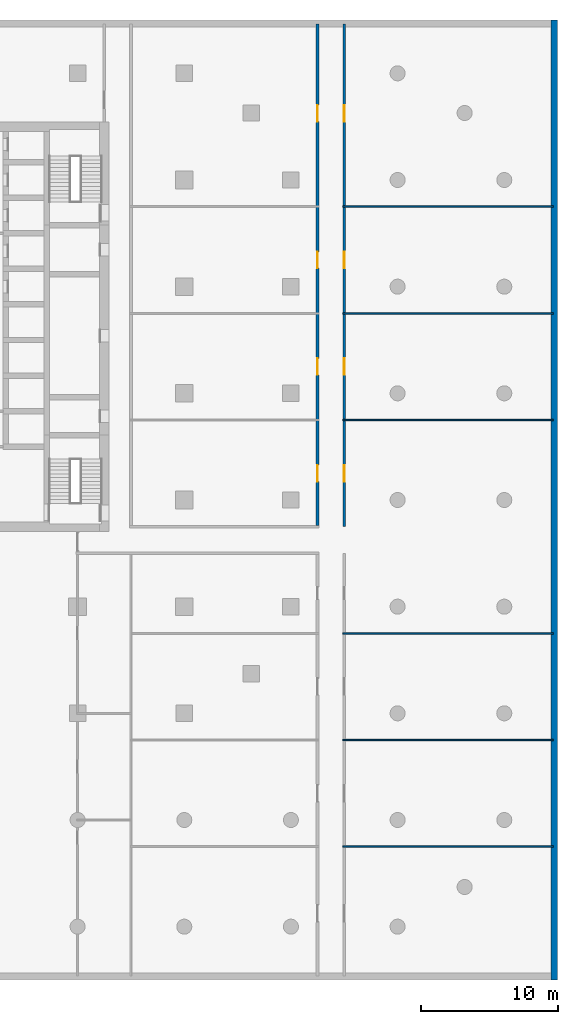
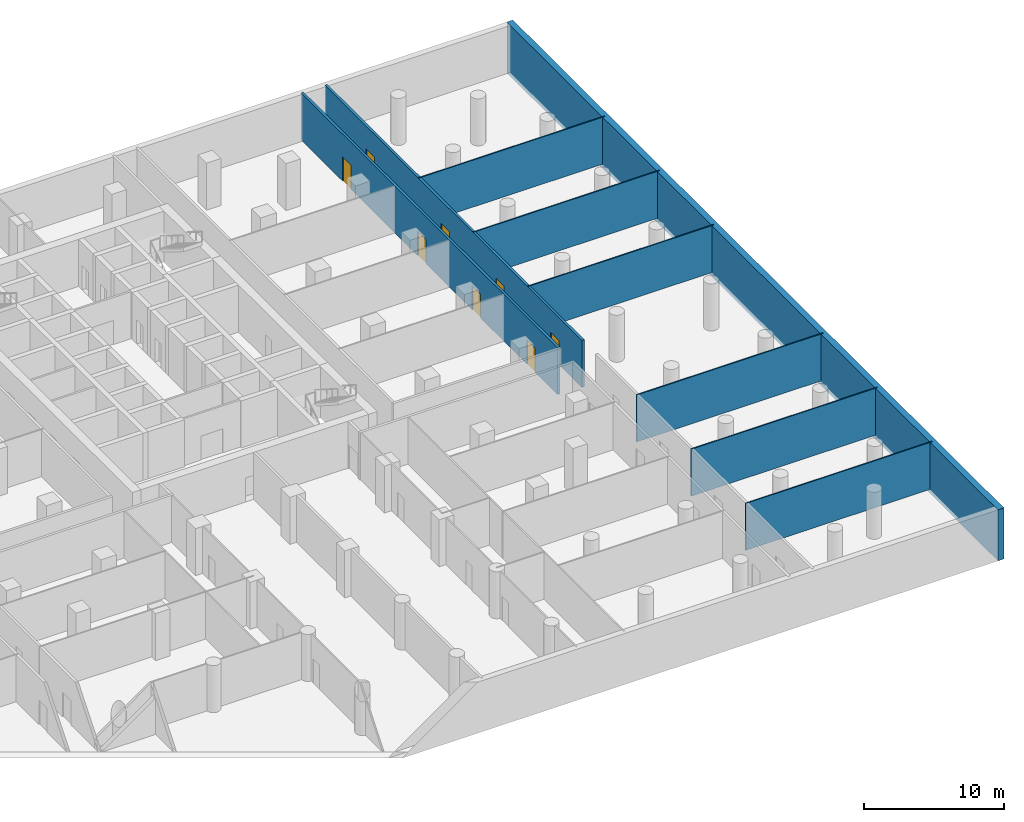
# One storey, part 8 of 14: 9 walls, 8 doors, 8 openings.
"""IFC4 building model written with IfcOpenShell, lengths in metres."""

from ifc_helpers import new_model, si_unit, direction, frame, frame_2d, origin, place, context, subcontext, project, spatial, rectangle, extrude, material, layer, layer_set, type_object, element, fill, save


model = new_model("IFC4")

# Units and contexts
model_context = context("Model", 3, precision=1e-05, world=origin(), true_north=direction((0.0, 1.0)))
body_context = subcontext(model_context, "Body", "Model", "MODEL_VIEW")
ifc_project = project(units=[si_unit("LENGTHUNIT", "METRE"), si_unit("AREAUNIT", "SQUARE_METRE"), si_unit("VOLUMEUNIT", "CUBIC_METRE"), si_unit("PLANEANGLEUNIT", "RADIAN"), si_unit("MASSUNIT", "GRAM", prefix="KILO")], contexts=[model_context])

# Site, building, storey
site_placement = place(None, origin())
site = spatial("IfcSite", under=ifc_project, at=site_placement, CompositionType="ELEMENT")
building_placement = place(site_placement, origin())
building = spatial("IfcBuilding", under=site, at=building_placement, Name="Ludao Terraces", CompositionType="ELEMENT")
storey_placement = place(building_placement, frame((0.0, 0.0, -4.5)))
storey = spatial("IfcBuildingStorey", under=building, at=storey_placement, Name="B1", CompositionType="ELEMENT", Elevation=-4.5)

# Wall
ifc_material_1 = material(Name="Concrete C40", Category="concrete")
ifc_layer_1 = layer(ifc_material_1, 0.5)
ifc_layer_set_1 = layer_set([ifc_layer_1], Name="Basement wall 500 C40")
wall_type_1 = type_object("IfcWallType", Name="Basement wall 500 C40", PredefinedType="SOLIDWALL", material=ifc_layer_set_1)
wall_1_placement = place(storey_placement, frame((127.64990234375, 22.10009765625, -0.35009765625), z_axis=(0.0, 0.0, 1.0), x_axis=(0.0, 1.0, 0.0)))
element("IfcWall", 1, at=wall_1_placement, inside=storey, type_object=wall_type_1, Name="Basement wall E B1", PredefinedType="SOLIDWALL", context=body_context, shape_type="SweptSolid", body=[
    extrude(rectangle(XDim=70.199951171875, YDim=0.5, at=frame_2d((35.10009765625, 0.0))), origin(), (0.0, 0.0, 1.0), 4.4501953125),
])

# Wall, openings, doors
ifc_material_2 = material(Name="Autoclaved aerated concrete block B06 A3.5", Category="concrete")
ifc_layer_2 = layer(ifc_material_2, 0.199951171875)
ifc_layer_set_2 = layer_set([ifc_layer_2], Name="INT Entrance wall 200")
wall_type_2 = type_object("IfcWallType", Name="INT Entrance wall 200", PredefinedType="PARTITIONING", material=ifc_layer_set_2)
wall_2_placement = place(storey_placement, frame((110.35009765625, 55.35009765625, 0.0), z_axis=(0.0, 0.0, 1.0), x_axis=(0.0, 1.0, 0.0)))
wall_2 = element("IfcWall", 2, at=wall_2_placement, inside=storey, type_object=wall_type_2, Name="PW-B1-PW057", PredefinedType="PARTITIONING", context=body_context, shape_type="SweptSolid", body=[
    extrude(rectangle(XDim=36.64990234375, YDim=0.199951171875, at=frame_2d((18.324951171875, 0.0))), origin(), (0.0, 0.0, 1.0), 4.10009765625),
])
opening_1_placement = place(wall_2_placement, frame((3.199951171875, 0.0, 0.0)))
opening_1 = element("IfcOpeningElement", 3, at=opening_1_placement, cuts=wall_2, Name="Opening B1-028", PredefinedType="OPENING", context=body_context, shape_type="SweptSolid", body=[
    extrude(rectangle(XDim=1.199951171875, YDim=2.10009765625, at=frame_2d((0.60009765625, 1.050048828125))), frame((0.0, 0.10986328125, 0.0), z_axis=(0.0, -1.0, 0.0), x_axis=(1.0, 0.0, 0.0)), (0.0, 0.0, 1.0), 0.219970703125),
])
opening_2_placement = place(wall_2_placement, frame((11.0, 0.0, 0.0)))
opening_2 = element("IfcOpeningElement", 4, at=opening_2_placement, cuts=wall_2, Name="Opening B1-037", PredefinedType="OPENING", context=body_context, shape_type="SweptSolid", body=[
    extrude(rectangle(XDim=1.199951171875, YDim=2.10009765625, at=frame_2d((0.60009765625, 1.050048828125))), frame((0.0, 0.10986328125, 0.0), z_axis=(0.0, -1.0, 0.0), x_axis=(1.0, 0.0, 0.0)), (0.0, 0.0, 1.0), 0.219970703125),
])
opening_3_placement = place(wall_2_placement, frame((18.800048828125, 0.0, 0.0)))
opening_3 = element("IfcOpeningElement", 5, at=opening_3_placement, cuts=wall_2, Name="Opening B1-045", PredefinedType="OPENING", context=body_context, shape_type="SweptSolid", body=[
    extrude(rectangle(XDim=1.199951171875, YDim=2.10009765625, at=frame_2d((0.60009765625, 1.050048828125))), frame((0.0, 0.10986328125, 0.0), z_axis=(0.0, -1.0, 0.0), x_axis=(1.0, 0.0, 0.0)), (0.0, 0.0, 1.0), 0.219970703125),
])
opening_4_placement = place(wall_2_placement, frame((29.52490234375, 0.0, 0.0)))
opening_4 = element("IfcOpeningElement", 6, at=opening_4_placement, cuts=wall_2, Name="Opening B1-061", PredefinedType="OPENING", context=body_context, shape_type="SweptSolid", body=[
    extrude(rectangle(XDim=1.199951171875, YDim=2.10009765625, at=frame_2d((0.60009765625, 1.050048828125))), frame((0.0, 0.10986328125, 0.0), z_axis=(0.0, -1.0, 0.0), x_axis=(1.0, 0.0, 0.0)), (0.0, 0.0, 1.0), 0.219970703125),
])
ifc_material_3 = material(Name="Timber door leaf", Category="wood")
door_type = type_object("IfcDoorType", Name="INT Double door 1200", OperationType="DOUBLE_DOOR_SINGLE_SWING", PredefinedType="DOOR", material=ifc_material_3)
door_1_placement = place(opening_1_placement, origin())
door_1 = element("IfcDoor", 7, at=door_1_placement, inside=storey, type_object=door_type, Name="DOOR 028", OperationType="DOUBLE_DOOR_SINGLE_SWING", OverallHeight=2.10009765625, OverallWidth=1.199951171875, PredefinedType="DOOR", context=body_context, shape_type="SweptSolid", body=[
    extrude(rectangle(XDim=1.199951171875, YDim=2.10009765625, at=frame_2d((0.60009765625, 1.050048828125))), frame((0.0, 0.02490234375, 0.0), z_axis=(0.0, -1.0, 0.0), x_axis=(1.0, 0.0, 0.0)), (0.0, 0.0, 1.0), 0.050048828125),
])
fill(opening_1, door_1)
door_2_placement = place(opening_2_placement, origin())
door_2 = element("IfcDoor", 8, at=door_2_placement, inside=storey, type_object=door_type, Name="DOOR 037", OperationType="DOUBLE_DOOR_SINGLE_SWING", OverallHeight=2.10009765625, OverallWidth=1.199951171875, PredefinedType="DOOR", context=body_context, shape_type="SweptSolid", body=[
    extrude(rectangle(XDim=1.199951171875, YDim=2.10009765625, at=frame_2d((0.60009765625, 1.050048828125))), frame((0.0, 0.02490234375, 0.0), z_axis=(0.0, -1.0, 0.0), x_axis=(1.0, 0.0, 0.0)), (0.0, 0.0, 1.0), 0.050048828125),
])
fill(opening_2, door_2)
door_3_placement = place(opening_3_placement, origin())
door_3 = element("IfcDoor", 9, at=door_3_placement, inside=storey, type_object=door_type, Name="DOOR 045", OperationType="DOUBLE_DOOR_SINGLE_SWING", OverallHeight=2.10009765625, OverallWidth=1.199951171875, PredefinedType="DOOR", context=body_context, shape_type="SweptSolid", body=[
    extrude(rectangle(XDim=1.199951171875, YDim=2.10009765625, at=frame_2d((0.60009765625, 1.050048828125))), frame((0.0, 0.02490234375, 0.0), z_axis=(0.0, -1.0, 0.0), x_axis=(1.0, 0.0, 0.0)), (0.0, 0.0, 1.0), 0.050048828125),
])
fill(opening_3, door_3)
door_4_placement = place(opening_4_placement, origin())
door_4 = element("IfcDoor", 10, at=door_4_placement, inside=storey, type_object=door_type, Name="DOOR 061", OperationType="DOUBLE_DOOR_SINGLE_SWING", OverallHeight=2.10009765625, OverallWidth=1.199951171875, PredefinedType="DOOR", context=body_context, shape_type="SweptSolid", body=[
    extrude(rectangle(XDim=1.199951171875, YDim=2.10009765625, at=frame_2d((0.60009765625, 1.050048828125))), frame((0.0, 0.02490234375, 0.0), z_axis=(0.0, -1.0, 0.0), x_axis=(1.0, 0.0, 0.0)), (0.0, 0.0, 1.0), 0.050048828125),
])
fill(opening_4, door_4)

wall_3_placement = place(storey_placement, frame((112.300048828125, 55.25, 0.0), z_axis=(0.0, 0.0, 1.0), x_axis=(0.0, 1.0, 0.0)))
wall_3 = element("IfcWall", 11, at=wall_3_placement, inside=storey, type_object=wall_type_2, Name="PW-B1-PW059", PredefinedType="PARTITIONING", context=body_context, shape_type="SweptSolid", body=[
    extrude(rectangle(XDim=36.75, YDim=0.199951171875, at=frame_2d((18.375, 0.0))), origin(), (0.0, 0.0, 1.0), 4.10009765625),
])
opening_5_placement = place(wall_3_placement, frame((3.300048828125, 0.0, 0.0)))
opening_5 = element("IfcOpeningElement", 12, at=opening_5_placement, cuts=wall_3, Name="Opening B1-029", PredefinedType="OPENING", context=body_context, shape_type="SweptSolid", body=[
    extrude(rectangle(XDim=1.199951171875, YDim=2.10009765625, at=frame_2d((0.60009765625, 1.050048828125))), frame((0.0, 0.10986328125, 0.0), z_axis=(0.0, -1.0, 0.0), x_axis=(1.0, 0.0, 0.0)), (0.0, 0.0, 1.0), 0.219970703125),
])
opening_6_placement = place(wall_3_placement, frame((11.10009765625, 0.0, 0.0)))
opening_6 = element("IfcOpeningElement", 13, at=opening_6_placement, cuts=wall_3, Name="Opening B1-038", PredefinedType="OPENING", context=body_context, shape_type="SweptSolid", body=[
    extrude(rectangle(XDim=1.199951171875, YDim=2.10009765625, at=frame_2d((0.60009765625, 1.050048828125))), frame((0.0, 0.10986328125, 0.0), z_axis=(0.0, -1.0, 0.0), x_axis=(1.0, 0.0, 0.0)), (0.0, 0.0, 1.0), 0.219970703125),
])
opening_7_placement = place(wall_3_placement, frame((18.900146484375, 0.0, 0.0)))
opening_7 = element("IfcOpeningElement", 14, at=opening_7_placement, cuts=wall_3, Name="Opening B1-046", PredefinedType="OPENING", context=body_context, shape_type="SweptSolid", body=[
    extrude(rectangle(XDim=1.199951171875, YDim=2.10009765625, at=frame_2d((0.60009765625, 1.050048828125))), frame((0.0, 0.10986328125, 0.0), z_axis=(0.0, -1.0, 0.0), x_axis=(1.0, 0.0, 0.0)), (0.0, 0.0, 1.0), 0.219970703125),
])
opening_8_placement = place(wall_3_placement, frame((29.625, 0.0, 0.0)))
opening_8 = element("IfcOpeningElement", 15, at=opening_8_placement, cuts=wall_3, Name="Opening B1-062", PredefinedType="OPENING", context=body_context, shape_type="SweptSolid", body=[
    extrude(rectangle(XDim=1.199951171875, YDim=2.10009765625, at=frame_2d((0.60009765625, 1.050048828125))), frame((0.0, 0.10986328125, 0.0), z_axis=(0.0, -1.0, 0.0), x_axis=(1.0, 0.0, 0.0)), (0.0, 0.0, 1.0), 0.219970703125),
])
door_5_placement = place(opening_5_placement, origin())
door_5 = element("IfcDoor", 16, at=door_5_placement, inside=storey, type_object=door_type, Name="DOOR 029", OperationType="DOUBLE_DOOR_SINGLE_SWING", OverallHeight=2.10009765625, OverallWidth=1.199951171875, PredefinedType="DOOR", context=body_context, shape_type="SweptSolid", body=[
    extrude(rectangle(XDim=1.199951171875, YDim=2.10009765625, at=frame_2d((0.60009765625, 1.050048828125))), frame((0.0, 0.02490234375, 0.0), z_axis=(0.0, -1.0, 0.0), x_axis=(1.0, 0.0, 0.0)), (0.0, 0.0, 1.0), 0.050048828125),
])
fill(opening_5, door_5)
door_6_placement = place(opening_6_placement, origin())
door_6 = element("IfcDoor", 17, at=door_6_placement, inside=storey, type_object=door_type, Name="DOOR 038", OperationType="DOUBLE_DOOR_SINGLE_SWING", OverallHeight=2.10009765625, OverallWidth=1.199951171875, PredefinedType="DOOR", context=body_context, shape_type="SweptSolid", body=[
    extrude(rectangle(XDim=1.199951171875, YDim=2.10009765625, at=frame_2d((0.60009765625, 1.050048828125))), frame((0.0, 0.02490234375, 0.0), z_axis=(0.0, -1.0, 0.0), x_axis=(1.0, 0.0, 0.0)), (0.0, 0.0, 1.0), 0.050048828125),
])
fill(opening_6, door_6)
door_7_placement = place(opening_7_placement, origin())
door_7 = element("IfcDoor", 18, at=door_7_placement, inside=storey, type_object=door_type, Name="DOOR 046", OperationType="DOUBLE_DOOR_SINGLE_SWING", OverallHeight=2.10009765625, OverallWidth=1.199951171875, PredefinedType="DOOR", context=body_context, shape_type="SweptSolid", body=[
    extrude(rectangle(XDim=1.199951171875, YDim=2.10009765625, at=frame_2d((0.60009765625, 1.050048828125))), frame((0.0, 0.02490234375, 0.0), z_axis=(0.0, -1.0, 0.0), x_axis=(1.0, 0.0, 0.0)), (0.0, 0.0, 1.0), 0.050048828125),
])
fill(opening_7, door_7)
door_8_placement = place(opening_8_placement, origin())
door_8 = element("IfcDoor", 19, at=door_8_placement, inside=storey, type_object=door_type, Name="DOOR 062", OperationType="DOUBLE_DOOR_SINGLE_SWING", OverallHeight=2.10009765625, OverallWidth=1.199951171875, PredefinedType="DOOR", context=body_context, shape_type="SweptSolid", body=[
    extrude(rectangle(XDim=1.199951171875, YDim=2.10009765625, at=frame_2d((0.60009765625, 1.050048828125))), frame((0.0, 0.02490234375, 0.0), z_axis=(0.0, -1.0, 0.0), x_axis=(1.0, 0.0, 0.0)), (0.0, 0.0, 1.0), 0.050048828125),
])
fill(opening_8, door_8)

# Walls
ifc_material_4 = material(Name="Gypsum plasterboard", Category="gypsum")
ifc_layer_3 = layer(ifc_material_4, 0.012451171875, Category="gypsum")
ifc_material_5 = material(Name="Mineral wool")
ifc_layer_4 = layer(ifc_material_5, 0.06005859375, Name="insulation")
ifc_material_6 = material(Name="Steel Q235", Category="steel")
ifc_layer_5 = layer(ifc_material_6, 0.014892578125, Name="stud")
ifc_layer_6 = layer(ifc_material_4, 0.012451171875, Category="gypsum")
ifc_layer_set_3 = layer_set([ifc_layer_3, ifc_layer_4, ifc_layer_5, ifc_layer_6], Name="INT Partition 100")
wall_type_3 = type_object("IfcWallType", Name="INT Partition 100", PredefinedType="PARTITIONING", material=ifc_layer_set_3)
for number, where, z_axis, x_axis, name in (
    (20, (112.2001953125, 31.85009765625, 0.0), (0.0, 0.0, 1.0), (1.0, 0.0, 0.0), "PW-B1-PW001"),
    (21, (112.2001953125, 39.64990234375, 0.0), (0.0, 0.0, 1.0), (1.0, 0.0, 0.0), "PW-B1-PW006"),
    (22, (112.2001953125, 47.449951171875, 0.0), (0.0, 0.0, 1.0), (1.0, 0.0, 0.0), "PW-B1-PW014"),
    (23, (112.2001953125, 63.050048828125, 0.0), (0.0, 0.0, 1.0), (1.0, 0.0, 0.0), "PW-B1-PW021"),
    (24, (112.2001953125, 70.85009765625, 0.0), (0.0, 0.0, 1.0), (1.0, 0.0, 0.0), "PW-B1-PW028"),
    (25, (112.2001953125, 78.64990234375, 0.0), (0.0, 0.0, 1.0), (1.0, 0.0, 0.0), "PW-B1-PW033"),
):
    element("IfcWall", number, at=place(storey_placement, frame(where, z_axis=z_axis, x_axis=x_axis)), inside=storey, type_object=wall_type_3, Name=name, PredefinedType="PARTITIONING", context=body_context, shape_type="SweptSolid", body=[
        extrude(rectangle(XDim=15.39990234375, YDim=0.10009765625, at=frame_2d((7.699951171875, 0.0))), origin(), (0.0, 0.0, 1.0), 4.10009765625),
    ])

save(model, "model.ifc")
